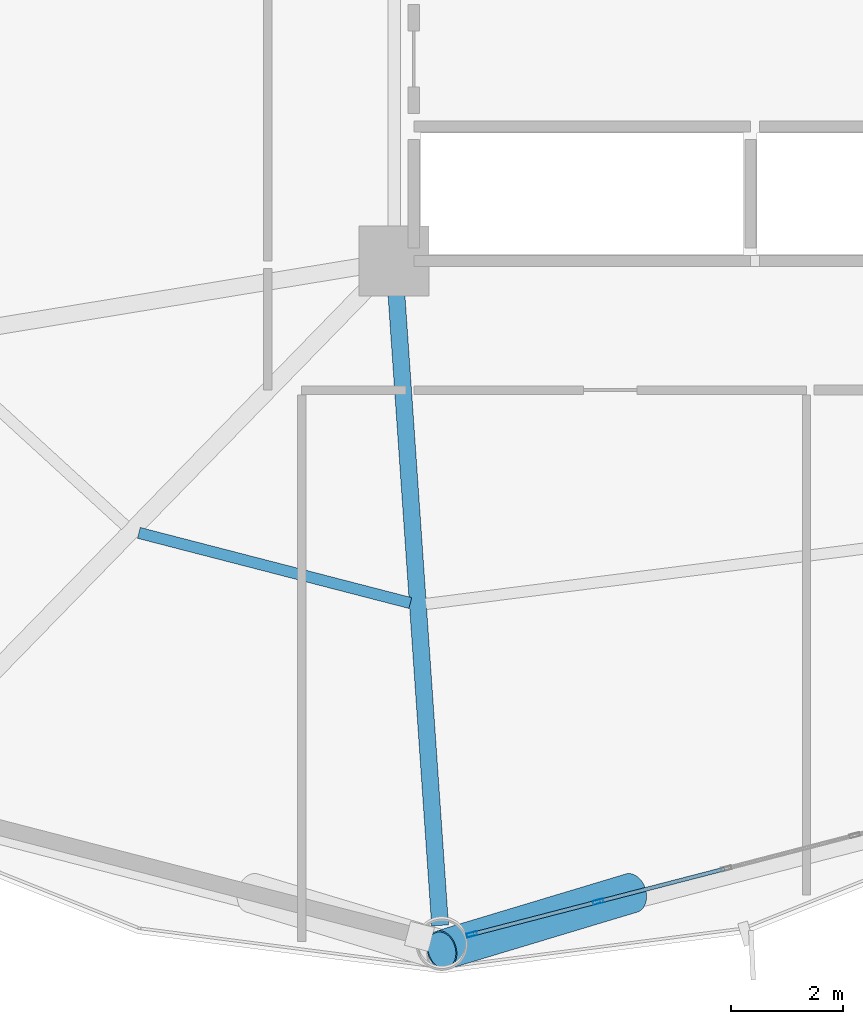
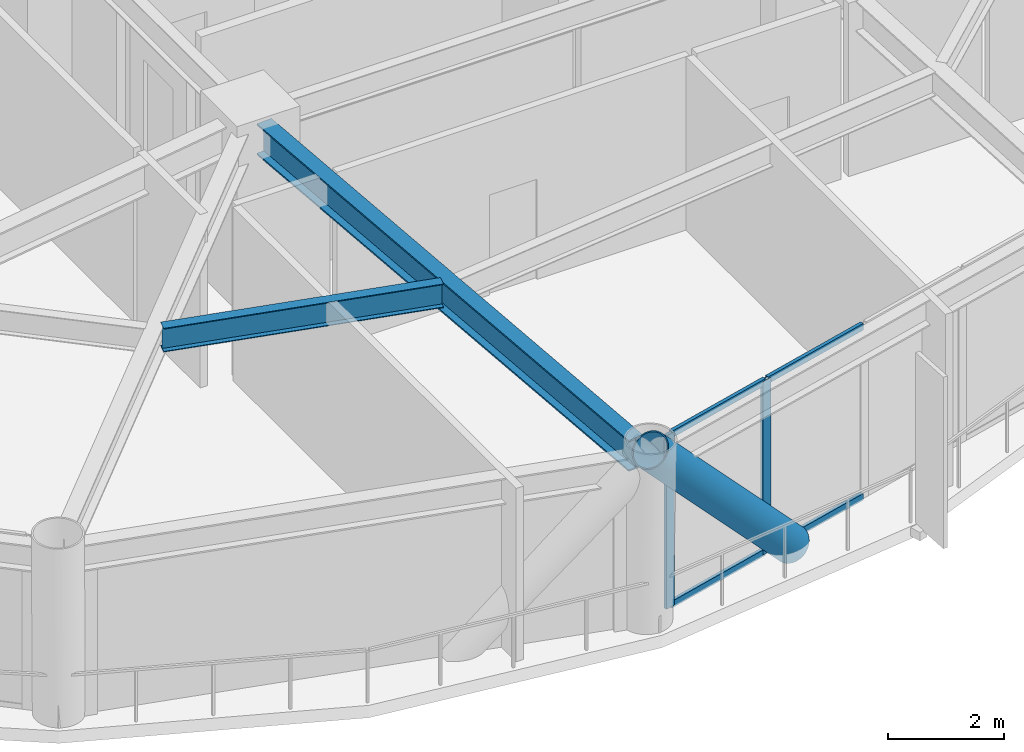
# One storey, part 7 of 25: 7 members, 2 beams, 1 element without a shape of its own.
"""IFC4 building model written with IfcOpenShell, lengths in metres."""

from ifc_helpers import new_model, si_unit, direction, frame, origin, origin_2d, place, context, subcontext, project, spatial, hollow_rectangle, hollow_circle, i_section, extrude, material, layer, layer_set, material_profile, profile_set, type_object, element, aggregate, save


model = new_model("IFC4")

# Units and contexts
model_context = context("Model", 3, precision=1e-05, world=origin(), true_north=direction((0.0, 1.0)))
body_context = subcontext(model_context, "Body", "Model", "MODEL_VIEW")
ifc_project = project(units=[si_unit("LENGTHUNIT", "METRE"), si_unit("AREAUNIT", "SQUARE_METRE"), si_unit("VOLUMEUNIT", "CUBIC_METRE"), si_unit("PLANEANGLEUNIT", "RADIAN"), si_unit("MASSUNIT", "GRAM", prefix="KILO")], contexts=[model_context])

# Site, building, storey
site_placement = place(None, origin())
site = spatial("IfcSite", under=ifc_project, at=site_placement, CompositionType="ELEMENT")
building_placement = place(site_placement, origin())
building = spatial("IfcBuilding", under=site, at=building_placement, Name="Varnakorn Sky Granary", CompositionType="ELEMENT")
storey_placement = place(building_placement, frame((0.0, 0.0, 35.39990234375)))
storey = spatial("IfcBuildingStorey", under=building, at=storey_placement, Name="L08", CompositionType="ELEMENT", Elevation=35.39990234375)

# Beams
ifc_material_1 = material(Name="Steel S355JR", Category="steel")
ifc_material_profile_1 = material_profile(ifc_material_1, i_section(OverallWidth=0.300048828125, OverallDepth=0.64990234375, WebThickness=0.01611328125, FlangeThickness=0.031005859375, at=origin_2d()), Name="HE 650 B")
ifc_profile_set_1 = profile_set([ifc_material_profile_1], Name="Steel S355JR")
beam_type_1 = type_object("IfcBeamType", Name="BM-RAD-Z1", PredefinedType="BEAM", material=ifc_profile_set_1)
beam_1_placement = place(storey_placement, frame((-2.321044921875, -7.01904296875, 3.315185546875), z_axis=(0.069039175203, -0.997613949525, 0.0), x_axis=(0.997613949525, 0.069039175203, 0.0)))
element("IfcBeam", 1, at=beam_1_placement, inside=storey, type_object=beam_type_1, Name="Radial Floor Girder RG10 L08", PredefinedType="BEAM", context=body_context, shape_type="SweptSolid", body=[
    extrude(i_section(OverallWidth=0.300048828125, OverallDepth=0.64990234375, WebThickness=0.01611328125, FlangeThickness=0.031005859375, at=origin_2d()), origin(), (0.0, 0.0, 1.0), 11.450439453125),
])
ifc_material_profile_2 = material_profile(ifc_material_1, i_section(OverallWidth=0.199951171875, OverallDepth=0.5, WebThickness=0.01025390625, FlangeThickness=0.01611328125, at=origin_2d()), Name="IPE 500")
ifc_profile_set_2 = profile_set([ifc_material_profile_2], Name="Steel S355JR")
beam_type_2 = type_object("IfcBeamType", Name="BM-SEC-Z1", PredefinedType="BEAM", material=ifc_profile_set_2)
beam_2_placement = place(storey_placement, frame((-6.8994140625, -11.4453125, 3.39013671875), z_axis=(0.968195287493, -0.250195693962, 0.0), x_axis=(0.250195693962, 0.968195287493, 0.0)))
element("IfcBeam", 2, at=beam_2_placement, inside=storey, type_object=beam_type_2, Name="Secondary Floor Chord Beam MSB09 L08", PredefinedType="BEAM", context=body_context, shape_type="SweptSolid", body=[
    extrude(i_section(OverallWidth=0.199951171875, OverallDepth=0.5, WebThickness=0.01025390625, FlangeThickness=0.01611328125, at=origin_2d()), origin(), (0.0, 0.0, 1.0), 4.9970703125),
])

# Curtain wall, members
ifc_material_2 = material(Name="Anodised Bronze Aluminium Alloy 6063-T6", Category="aluminium")
ifc_layer = layer(ifc_material_2, 0.18994140625, Name="Anodised Bronze Aluminium Alloy 6063-T6")
ifc_layer_set = layer_set([ifc_layer], Name="Anodised Bronze Aluminium Alloy 6063-T6")
curtain_wall_type = type_object("IfcCurtainWallType", Name="CW-FRM-1", PredefinedType="USERDEFINED", material=ifc_layer_set)
curtain_wall_placement = place(storey_placement, origin())
curtain_wall = element("IfcCurtainWall", 3, at=curtain_wall_placement, inside=storey, type_object=curtain_wall_type, Name="Unitised Curtain Wall CW3 CW-L08-B10", ObjectType="CURTAIN WALL", PredefinedType="USERDEFINED")
ifc_material_profile_3 = material_profile(ifc_material_2, hollow_rectangle(XDim=0.070068359375, YDim=0.18505859375, WallThickness=0.00390625, at=origin_2d()), Name="ALU MULL 70x185")
ifc_profile_set_3 = profile_set([ifc_material_profile_3], Name="Anodised Bronze Aluminium Alloy 6063-T6")
member_type_1 = type_object("IfcMemberType", Name="CW-FRM-1-MULL", PredefinedType="MULLION", material=ifc_profile_set_3)
member_1_placement = place(storey_placement, frame((1.286376953125, -18.019287109375, 0.0), z_axis=(0.0, 0.0, 1.0), x_axis=(0.250760069357, -0.968049269209, 0.0)))
member_1 = element("IfcMember", 4, at=member_1_placement, type_object=member_type_1, Name="CW3 mullion 4", PredefinedType="MULLION", context=body_context, shape_type="SweptSolid", body=[
    extrude(hollow_rectangle(XDim=0.070068359375, YDim=0.18505859375, WallThickness=0.00390625, at=origin_2d()), origin(), (0.0, 0.0, 1.0), 3.64013671875),
])
member_2_placement = place(storey_placement, frame((-0.965576171875, -18.6025390625, 0.0), z_axis=(0.0, 0.0, 1.0), x_axis=(0.250760069357, -0.968049269209, 0.0)))
member_2 = element("IfcMember", 5, at=member_2_placement, type_object=member_type_1, Name="CW3 mullion 5", PredefinedType="MULLION", context=body_context, shape_type="SweptSolid", body=[
    extrude(hollow_rectangle(XDim=0.070068359375, YDim=0.18505859375, WallThickness=0.00390625, at=origin_2d()), origin(), (0.0, 0.0, 1.0), 3.64013671875),
])
ifc_material_profile_4 = material_profile(ifc_material_2, hollow_rectangle(XDim=0.070068359375, YDim=0.139892578125, WallThickness=0.00341796875, at=origin_2d()), Name="ALU TRAN 70x140")
ifc_profile_set_4 = profile_set([ifc_material_profile_4], Name="Anodised Bronze Aluminium Alloy 6063-T6")
member_type_2 = type_object("IfcMemberType", Name="CW-FRM-1-TRAN", PredefinedType="USERDEFINED", material=ifc_profile_set_4)
member_3_placement = place(storey_placement, frame((3.538330078125, -17.43603515625, 0.03515625), z_axis=(-0.968058227767, -0.250725482657, 0.0), x_axis=(0.250725482657, -0.968058227767, 0.0)))
member_3 = element("IfcMember", 6, at=member_3_placement, type_object=member_type_2, Name="CW3 transom 3.1", ObjectType="TRANSOM", PredefinedType="USERDEFINED", context=body_context, shape_type="SweptSolid", body=[
    extrude(hollow_rectangle(XDim=0.070068359375, YDim=0.139892578125, WallThickness=0.00341796875, at=origin_2d()), origin(), (0.0, 0.0, 1.0), 2.291259765625),
])
member_4_placement = place(storey_placement, frame((3.538330078125, -17.43603515625, 3.60498046875), z_axis=(-0.968058227767, -0.250725482657, 0.0), x_axis=(0.250725482657, -0.968058227767, 0.0)))
member_4 = element("IfcMember", 7, at=member_4_placement, type_object=member_type_2, Name="CW3 transom 3.2", ObjectType="TRANSOM", PredefinedType="USERDEFINED", context=body_context, shape_type="SweptSolid", body=[
    extrude(hollow_rectangle(XDim=0.070068359375, YDim=0.139892578125, WallThickness=0.00341796875, at=origin_2d()), origin(), (0.0, 0.0, 1.0), 2.291259765625),
])
member_5_placement = place(storey_placement, frame((1.25244140625, -18.028076171875, 0.03515625), z_axis=(-0.96805820753, -0.250725560792, 0.0), x_axis=(0.250725560792, -0.96805820753, 0.0)))
member_5 = element("IfcMember", 8, at=member_5_placement, type_object=member_type_2, Name="CW3 transom 4.1", ObjectType="TRANSOM", PredefinedType="USERDEFINED", context=body_context, shape_type="SweptSolid", body=[
    extrude(hollow_rectangle(XDim=0.070068359375, YDim=0.139892578125, WallThickness=0.00341796875, at=origin_2d()), origin(), (0.0, 0.0, 1.0), 2.256103515625),
])
member_6_placement = place(storey_placement, frame((1.25244140625, -18.028076171875, 3.60498046875), z_axis=(-0.96805820753, -0.250725560792, 0.0), x_axis=(0.250725560792, -0.96805820753, 0.0)))
member_6 = element("IfcMember", 9, at=member_6_placement, type_object=member_type_2, Name="CW3 transom 4.2", ObjectType="TRANSOM", PredefinedType="USERDEFINED", context=body_context, shape_type="SweptSolid", body=[
    extrude(hollow_rectangle(XDim=0.070068359375, YDim=0.139892578125, WallThickness=0.00341796875, at=origin_2d()), origin(), (0.0, 0.0, 1.0), 2.256103515625),
])
aggregate(curtain_wall, [member_1, member_2, member_3, member_4, member_5, member_6])

# Member
ifc_material_3 = material(Name="Steel S460M", Category="steel")
ifc_material_profile_5 = material_profile(ifc_material_3, hollow_circle(Radius=0.35546875, WallThickness=0.02490234375, at=origin_2d()), Name="CHS 711x25")
ifc_profile_set_5 = profile_set([ifc_material_profile_5], Name="Steel S460M")
member_type_3 = type_object("IfcMemberType", Name="MB-DIAG-T0", PredefinedType="BRACE", material=ifc_profile_set_5)
member_7_placement = place(storey_placement, frame((1.881591796875, -17.864990234375, -0.1298828125), z_axis=(-0.654621502731, -0.197081197487, 0.729814832515), x_axis=(0.288280078914, -0.957546132623, 0.0)))
element("IfcMember", 10, at=member_7_placement, inside=storey, type_object=member_type_3, Name="Perimeter CHS Diagrid Brace DG10 L08", PredefinedType="BRACE", context=body_context, shape_type="SweptSolid", body=[
    extrude(hollow_circle(Radius=0.35546875, WallThickness=0.02490234375, at=origin_2d()), origin(), (0.0, 0.0, 1.0), 5.165771484375),
])

save(model, "model.ifc")
